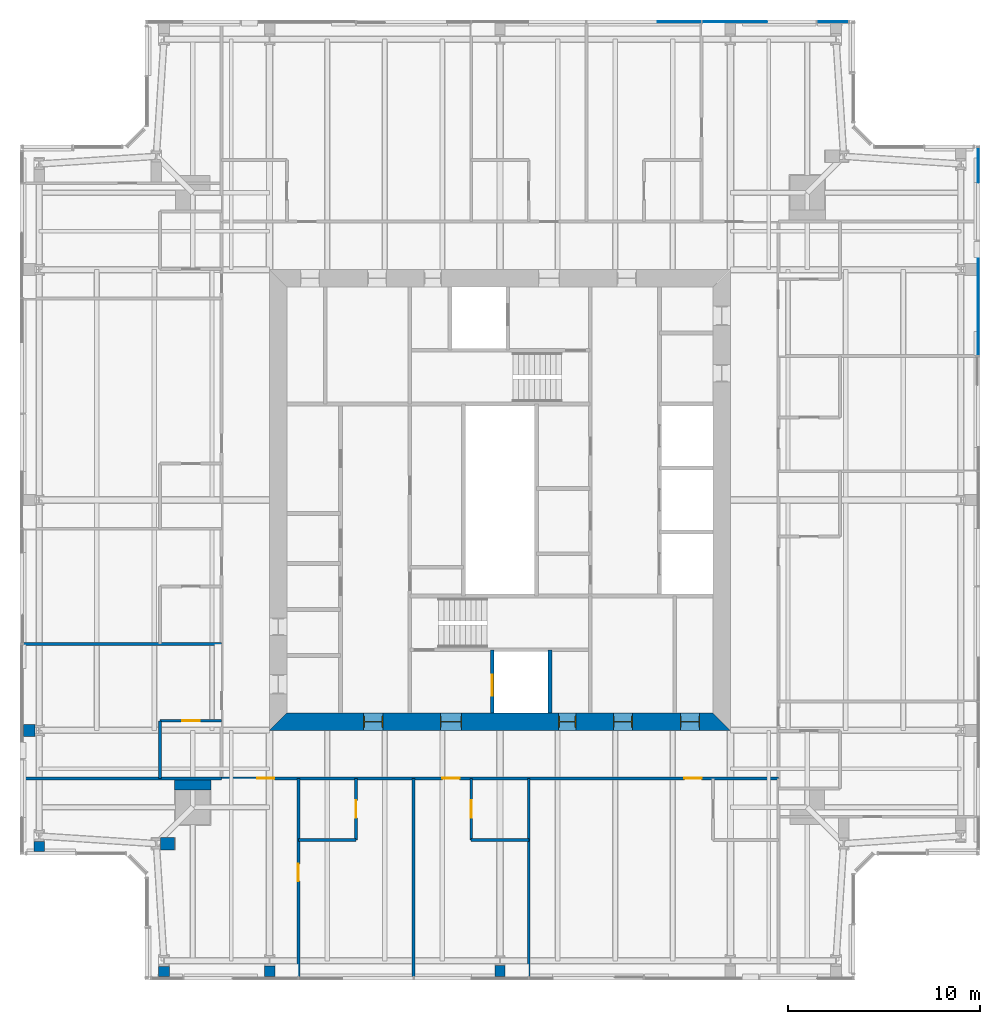
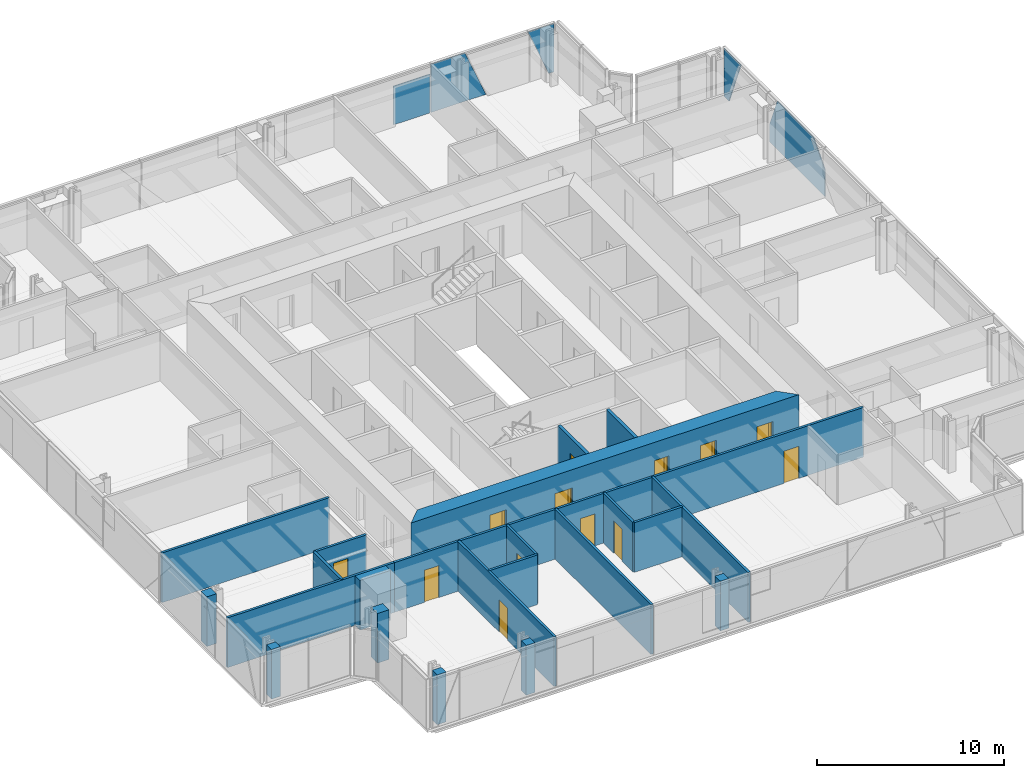
# One storey, part 11 of 20: 22 walls, 13 doors, 5 plates, 13 openings, 2 elements without a shape of their own.
"""IFC4 building model written with IfcOpenShell, lengths in metres."""

from ifc_helpers import new_model, si_unit, direction, frame, frame_2d, origin, place, context, subcontext, project, spatial, polyline, rectangle, outline, extrude, material, layer, layer_set, type_object, element, fill, aggregate, save


model = new_model("IFC4")

# Units and contexts
model_context = context("Model", 3, precision=1e-05, world=origin(), true_north=direction((0.0, 1.0)))
body_context = subcontext(model_context, "Body", "Model", "MODEL_VIEW")
ifc_project = project(units=[si_unit("LENGTHUNIT", "METRE"), si_unit("AREAUNIT", "SQUARE_METRE"), si_unit("VOLUMEUNIT", "CUBIC_METRE"), si_unit("PLANEANGLEUNIT", "RADIAN"), si_unit("MASSUNIT", "GRAM", prefix="KILO")], contexts=[model_context])

# Site, building, storey
site_placement = place(None, origin())
site = spatial("IfcSite", under=ifc_project, at=site_placement, CompositionType="ELEMENT")
building_placement = place(site_placement, origin())
building = spatial("IfcBuilding", under=site, at=building_placement, Name="Fenwick Lantern Interchange", CompositionType="ELEMENT")
storey_placement = place(building_placement, frame((0.0, 0.0, 286.60009765625)))
storey = spatial("IfcBuildingStorey", under=building, at=storey_placement, Name="L69", CompositionType="ELEMENT", Elevation=286.60009765625)

# Curtain wall, plates
ifc_material_1 = material(Name="Aluminium curtain wall frame", Category="aluminium")
curtain_wall_type = type_object("IfcCurtainWallType", Name="HOTEL CURTAIN WALL", PredefinedType="USERDEFINED", material=ifc_material_1)
curtain_wall_1_placement = place(storey_placement, origin())
curtain_wall_1 = element("IfcCurtainWall", 1, at=curtain_wall_1_placement, inside=storey, type_object=curtain_wall_type, Name="Hotel curtain wall 05", ObjectType="HOTEL CURTAIN WALL", PredefinedType="USERDEFINED")
ifc_material_2 = material(Name="Vision glass, acoustic laminated double glazed unit", Category="glass")
ifc_layer_1 = layer(ifc_material_2, 0.052001953125)
ifc_layer_set_1 = layer_set([ifc_layer_1], Name="HOTEL CURTAIN WALL PANEL 52")
plate_type = type_object("IfcPlateType", Name="HOTEL CURTAIN WALL PANEL 52", PredefinedType="CURTAIN_PANEL", material=ifc_layer_set_1)
plate_1_placement = place(storey_placement, frame((49.89990234375, 6.60009765625, 0.0), z_axis=(0.0, 0.0, 1.0), x_axis=(0.0, 1.0, 0.0)))
plate_1 = element("IfcPlate", 2, at=plate_1_placement, type_object=plate_type, Name="L69/CW/05/P05a", PredefinedType="CURTAIN_PANEL", context=body_context, shape_type="SweptSolid", body=[
    extrude(outline(polyline([(25.929931640625, 0.0), (31.8701171875, 0.0), (31.8701171875, 1.1083984375), (31.037353515625, 3.14990234375), (27.177490234375, 3.14990234375), (25.929931640625, 1.748046875), (25.929931640625, 0.0)])), frame((0.0, 0.02587890625, 0.0), z_axis=(0.0, -1.0, 0.0), x_axis=(1.0, 0.0, 0.0)), (0.0, 0.0, 1.0), 0.052001953125),
])
plate_2_placement = place(storey_placement, frame((49.89990234375, 6.60009765625, 0.0), z_axis=(0.0, 0.0, 1.0), x_axis=(0.0, 1.0, 0.0)))
plate_2 = element("IfcPlate", 3, at=plate_2_placement, type_object=plate_type, Name="L69/CW/05/P06a", PredefinedType="CURTAIN_PANEL", context=body_context, shape_type="SweptSolid", body=[
    extrude(outline(polyline([(36.2099609375, 0.0), (36.739990234375, 0.0), (36.739990234375, 3.14990234375), (34.92529296875, 3.14990234375), (36.2099609375, 0.0)])), frame((0.0, 0.02587890625, 0.0), z_axis=(0.0, -1.0, 0.0), x_axis=(1.0, 0.0, 0.0)), (0.0, 0.0, 1.0), 0.052001953125),
])
aggregate(curtain_wall_1, [plate_1, plate_2])

curtain_wall_2_placement = place(storey_placement, origin())
curtain_wall_2 = element("IfcCurtainWall", 4, at=curtain_wall_2_placement, inside=storey, type_object=curtain_wall_type, Name="Hotel curtain wall 09", ObjectType="HOTEL CURTAIN WALL", PredefinedType="USERDEFINED")
plate_3_placement = place(storey_placement, frame((43.39990234375, 49.89990234375, 0.0), z_axis=(0.0, 0.0, 1.0), x_axis=(-1.0, 0.0, 0.0)))
plate_3 = element("IfcPlate", 5, at=plate_3_placement, type_object=plate_type, Name="L69/CW/09/P00a", PredefinedType="CURTAIN_PANEL", context=body_context, shape_type="SweptSolid", body=[
    extrude(outline(polyline([(0.260009765625, 0.0), (0.58984375, 0.0), (1.8701171875, 3.138427734375), (1.8701171875, 3.14990234375), (0.260009765625, 3.14990234375), (0.260009765625, 0.0)])), frame((0.0, 0.02587890625, 0.0), z_axis=(0.0, -1.0, 0.0), x_axis=(1.0, 0.0, 0.0)), (0.0, 0.0, 1.0), 0.052001953125),
])
plate_4_placement = place(storey_placement, frame((43.39990234375, 49.89990234375, 0.0), z_axis=(0.0, 0.0, 1.0), x_axis=(-1.0, 0.0, 0.0)))
plate_4 = element("IfcPlate", 6, at=plate_4_placement, type_object=plate_type, Name="L69/CW/09/P01a", PredefinedType="CURTAIN_PANEL", context=body_context, shape_type="SweptSolid", body=[
    extrude(outline(polyline([(4.477783203125, 0.0), (7.8701171875, 0.0), (7.8701171875, 3.14990234375), (5.7626953125, 3.14990234375), (4.477783203125, 0.0)])), frame((0.0, 0.02587890625, 0.0), z_axis=(0.0, -1.0, 0.0), x_axis=(1.0, 0.0, 0.0)), (0.0, 0.0, 1.0), 0.052001953125),
])
plate_5_placement = place(storey_placement, frame((43.39990234375, 49.89990234375, 0.0), z_axis=(0.0, 0.0, 1.0), x_axis=(-1.0, 0.0, 0.0)))
plate_5 = element("IfcPlate", 7, at=plate_5_placement, type_object=plate_type, Name="L69/CW/09/P02a", PredefinedType="CURTAIN_PANEL", context=body_context, shape_type="SweptSolid", body=[
    extrude(outline(polyline([(7.929931640625, 0.0), (10.179931640625, 0.0), (10.179931640625, 2.5234375), (7.929931640625, 2.5234375), (7.929931640625, 0.0)])), frame((0.0, 0.02587890625, 0.0), z_axis=(0.0, -1.0, 0.0), x_axis=(1.0, 0.0, 0.0)), (0.0, 0.0, 1.0), 0.052001953125),
])
aggregate(curtain_wall_2, [plate_3, plate_4, plate_5])

# Walls
ifc_material_3 = material(Name="Fire-rated gypsum board encasement on steel studs, 2 hour", Category="steel")
ifc_layer_2 = layer(ifc_material_3, 1.89990234375)
ifc_layer_set_2 = layer_set([ifc_layer_2], Name="COLUMN PIER 1900")
wall_type_1 = type_object("IfcWallType", Name="COLUMN PIER 1900", PredefinedType="PARTITIONING", material=ifc_layer_set_2)
wall_1_placement = place(storey_placement, frame((9.0, 10.425048828125, 0.0), z_axis=(0.0, 0.0, 1.0), x_axis=(0.0, -1.0, 0.0)))
element("IfcWall", 8, at=wall_1_placement, inside=storey, type_object=wall_type_1, Name="L69/W/PIER/M1", PredefinedType="PARTITIONING", context=body_context, shape_type="SweptSolid", body=[
    extrude(rectangle(XDim=0.525146484375, YDim=1.89990234375, at=frame_2d((0.2626953125, 0.0))), origin(), (0.0, 0.0, 1.0), 3.25),
])
ifc_layer_3 = layer(ifc_material_3, 0.52392578125)
ifc_layer_set_3 = layer_set([ifc_layer_3], Name="COLUMN PIER 524")
wall_type_2 = type_object("IfcWallType", Name="COLUMN PIER 524", PredefinedType="PARTITIONING", material=ifc_layer_set_3)
wall_2_placement = place(storey_placement, frame((25.0, 0.18994140625, 0.0), z_axis=(0.0, 0.0, 1.0), x_axis=(0.0, 1.0, 0.0)))
element("IfcWall", 9, at=wall_2_placement, inside=storey, type_object=wall_type_2, Name="L69/W/PIER/CS3", PredefinedType="PARTITIONING", context=body_context, shape_type="SweptSolid", body=[
    extrude(rectangle(XDim=0.572509765625, YDim=0.52392578125, at=frame_2d((0.2861328125, 0.0))), origin(), (0.0, 0.0, 1.0), 3.25),
])
ifc_layer_4 = layer(ifc_material_3, 0.5419921875)
ifc_layer_set_4 = layer_set([ifc_layer_4], Name="COLUMN PIER 542")
wall_type_3 = type_object("IfcWallType", Name="COLUMN PIER 542", PredefinedType="PARTITIONING", material=ifc_layer_set_4)
wall_3_placement = place(storey_placement, frame((13.0, 0.18994140625, 0.0), z_axis=(0.0, 0.0, 1.0), x_axis=(0.0, 1.0, 0.0)))
element("IfcWall", 10, at=wall_3_placement, inside=storey, type_object=wall_type_3, Name="L69/W/PIER/CS2", PredefinedType="PARTITIONING", context=body_context, shape_type="SweptSolid", body=[
    extrude(rectangle(XDim=0.544677734375, YDim=0.5419921875, at=frame_2d((0.2724609375, 0.0))), origin(), (0.0, 0.0, 1.0), 3.25),
])
ifc_layer_5 = layer(ifc_material_3, 0.554931640625)
ifc_layer_set_5 = layer_set([ifc_layer_5], Name="COLUMN PIER 555")
wall_type_4 = type_object("IfcWallType", Name="COLUMN PIER 555", PredefinedType="PARTITIONING", material=ifc_layer_set_5)
for number, where, z_axis, x_axis, name in (
    (11, (7.5, 0.18994140625, 0.0), (0.0, 0.0, 1.0), (0.0, 1.0, 0.0), "L69/W/PIER/CS1"),
    (12, (1.0, 6.68994140625, 0.0), (0.0, 0.0, 1.0), (0.0, 1.0, 0.0), "L69/W/PIER/CW5"),
):
    element("IfcWall", number, at=place(storey_placement, frame(where, z_axis=z_axis, x_axis=x_axis)), inside=storey, type_object=wall_type_4, Name=name, PredefinedType="PARTITIONING", context=body_context, shape_type="SweptSolid", body=[
        extrude(rectangle(XDim=0.525634765625, YDim=0.554931640625, at=frame_2d((0.2626953125, 0.0))), origin(), (0.0, 0.0, 1.0), 3.25),
    ])
ifc_layer_6 = layer(ifc_material_3, 0.631103515625)
ifc_layer_set_6 = layer_set([ifc_layer_6], Name="COLUMN PIER 631")
wall_type_5 = type_object("IfcWallType", Name="COLUMN PIER 631", PredefinedType="PARTITIONING", material=ifc_layer_set_6)
wall_4_placement = place(storey_placement, frame((0.18994140625, 13.0, 0.0), z_axis=(0.0, 0.0, 1.0), x_axis=(1.0, 0.0, 0.0)))
element("IfcWall", 13, at=wall_4_placement, inside=storey, type_object=wall_type_5, Name="L69/W/PIER/CW4", PredefinedType="PARTITIONING", context=body_context, shape_type="SweptSolid", body=[
    extrude(rectangle(XDim=0.589111328125, YDim=0.631103515625, at=frame_2d((0.29443359375, 0.0))), origin(), (0.0, 0.0, 1.0), 3.25),
])
ifc_layer_7 = layer(ifc_material_3, 0.6689453125)
ifc_layer_set_7 = layer_set([ifc_layer_7], Name="COLUMN PIER 669")
wall_type_6 = type_object("IfcWallType", Name="COLUMN PIER 669", PredefinedType="PARTITIONING", material=ifc_layer_set_7)
wall_5_placement = place(storey_placement, frame((8.050048828125, 7.10009765625, 0.0), z_axis=(0.0, 0.0, 1.0), x_axis=(-1.0, 0.0, 0.0)))
element("IfcWall", 14, at=wall_5_placement, inside=storey, type_object=wall_type_6, Name="L69/W/PIER/CWR", PredefinedType="PARTITIONING", context=body_context, shape_type="SweptSolid", body=[
    extrude(rectangle(XDim=0.72265625, YDim=0.6689453125, at=frame_2d((0.361328125, 0.0))), origin(), (0.0, 0.0, 1.0), 3.25),
])

# Wall, opening, door
ifc_material_4 = material(Name="Concrete masonry ASTM C90 Grade N", Category="masonry")
ifc_layer_8 = layer(ifc_material_4, 0.199951171875)
ifc_layer_set_8 = layer_set([ifc_layer_8], Name="Concrete masonry ASTM C90 Grade N")
wall_type_7 = type_object("IfcWallType", Name="CORE PARTITION 200", PredefinedType="PARTITIONING", material=ifc_layer_set_8)
wall_6_placement = place(storey_placement, frame((24.60009765625, 13.89990234375, 0.0), z_axis=(0.0, 0.0, 1.0), x_axis=(0.0, 1.0, 0.0)))
wall_6 = element("IfcWall", 15, at=wall_6_placement, inside=storey, type_object=wall_type_7, Name="L69/W/CORES/h1", PredefinedType="PARTITIONING", context=body_context, shape_type="SweptSolid", body=[
    extrude(rectangle(XDim=3.300048828125, YDim=0.199951171875, at=frame_2d((1.64990234375, 0.0))), origin(), (0.0, 0.0, 1.0), 3.199951171875),
])
opening_1_placement = place(wall_6_placement, frame((0.89990234375, 0.0, 0.0)))
opening_1 = element("IfcOpeningElement", 16, at=opening_1_placement, cuts=wall_6, Name="Opening LD-FL1", PredefinedType="OPENING", context=body_context, shape_type="SweptSolid", body=[
    extrude(rectangle(XDim=1.10009765625, YDim=2.199951171875, at=frame_2d((0.550048828125, 1.10009765625))), frame((0.0, 0.10986328125, 0.0), z_axis=(0.0, -1.0, 0.0), x_axis=(1.0, 0.0, 0.0)), (0.0, 0.0, 1.0), 0.219970703125),
])
ifc_material_5 = material(Name="Steel door and frame", Category="steel")
door_type_1 = type_object("IfcDoorType", Name="LIFT LANDING DOOR 1100 X 2200", OperationType="DOUBLE_DOOR_SLIDING", PredefinedType="DOOR", material=ifc_material_5)
door_1_placement = place(opening_1_placement, origin())
door_1 = element("IfcDoor", 17, at=door_1_placement, inside=storey, type_object=door_type_1, Name="Lift landing door FL1", OperationType="DOUBLE_DOOR_SLIDING", OverallHeight=2.199951171875, OverallWidth=1.10009765625, PredefinedType="DOOR", context=body_context, shape_type="SweptSolid", body=[
    extrude(rectangle(XDim=1.10009765625, YDim=2.199951171875, at=frame_2d((0.550048828125, 1.10009765625))), frame((0.0, 0.02490234375, 0.0), z_axis=(0.0, -1.0, 0.0), x_axis=(1.0, 0.0, 0.0)), (0.0, 0.0, 1.0), 0.050048828125),
])
fill(opening_1, door_1)

# Wall
wall_7_placement = place(storey_placement, frame((27.60009765625, 13.89990234375, 0.0), z_axis=(0.0, 0.0, 1.0), x_axis=(0.0, 1.0, 0.0)))
element("IfcWall", 18, at=wall_7_placement, inside=storey, type_object=wall_type_7, Name="L69/W/CORES/h2", PredefinedType="PARTITIONING", context=body_context, shape_type="SweptSolid", body=[
    extrude(rectangle(XDim=3.300048828125, YDim=0.199951171875, at=frame_2d((1.64990234375, 0.0))), origin(), (0.0, 0.0, 1.0), 3.199951171875),
])

# Wall, openings, doors
ifc_material_6 = material(Name="Concrete f'c 70 MPa", Category="concrete")
ifc_layer_9 = layer(ifc_material_6, 0.89990234375)
ifc_layer_set_9 = layer_set([ifc_layer_9], Name="CORE WALL 900")
wall_type_8 = type_object("IfcWallType", Name="CORE WALL 900", PredefinedType="SHEAR", material=ifc_layer_set_9)
wall_8_placement = place(storey_placement, frame((13.0, 13.449951171875, 0.0), z_axis=(0.0, 0.0, 1.0), x_axis=(1.0, 0.0, 0.0)))
wall_8 = element("IfcWall", 19, at=wall_8_placement, inside=storey, type_object=wall_type_8, Name="L69/CORE/S", PredefinedType="SHEAR", context=body_context, shape_type="SweptSolid", body=[
    extrude(outline(polyline([(0.0, -0.449951171875), (24.0, -0.449951171875), (23.10009765625, 0.449951171875), (0.89990234375, 0.449951171875), (0.0, -0.449951171875)])), origin(), (0.0, 0.0, 1.0), 3.39990234375),
])
opening_2_placement = place(wall_8_placement, frame((4.89990234375, 0.0, 0.0)))
opening_2 = element("IfcOpeningElement", 20, at=opening_2_placement, cuts=wall_8, Name="Opening L69-D001", PredefinedType="OPENING", context=body_context, shape_type="SweptSolid", body=[
    extrude(rectangle(XDim=1.0, YDim=2.199951171875, at=frame_2d((0.5, 1.10009765625))), frame((0.0, 0.4599609375, 0.0), z_axis=(0.0, -1.0, 0.0), x_axis=(1.0, 0.0, 0.0)), (0.0, 0.0, 1.0), 0.919921875),
])
opening_3_placement = place(wall_8_placement, frame((8.89990234375, 0.0, 0.0)))
opening_3 = element("IfcOpeningElement", 21, at=opening_3_placement, cuts=wall_8, Name="Opening L69-D002", PredefinedType="OPENING", context=body_context, shape_type="SweptSolid", body=[
    extrude(rectangle(XDim=1.10009765625, YDim=2.199951171875, at=frame_2d((0.550048828125, 1.10009765625))), frame((0.0, 0.4599609375, 0.0), z_axis=(0.0, -1.0, 0.0), x_axis=(1.0, 0.0, 0.0)), (0.0, 0.0, 1.0), 0.919921875),
])
opening_4_placement = place(wall_8_placement, frame((15.050048828125, 0.0, 0.0)))
opening_4 = element("IfcOpeningElement", 22, at=opening_4_placement, cuts=wall_8, Name="Opening L69-D004", PredefinedType="OPENING", context=body_context, shape_type="SweptSolid", body=[
    extrude(rectangle(XDim=0.89990234375, YDim=2.199951171875, at=frame_2d((0.449951171875, 1.10009765625))), frame((0.0, 0.4599609375, 0.0), z_axis=(0.0, -1.0, 0.0), x_axis=(1.0, 0.0, 0.0)), (0.0, 0.0, 1.0), 0.919921875),
])
opening_5_placement = place(wall_8_placement, frame((17.89990234375, 0.0, 0.0)))
opening_5 = element("IfcOpeningElement", 23, at=opening_5_placement, cuts=wall_8, Name="Opening L69-D005", PredefinedType="OPENING", context=body_context, shape_type="SweptSolid", body=[
    extrude(rectangle(XDim=1.0, YDim=2.199951171875, at=frame_2d((0.5, 1.10009765625))), frame((0.0, 0.4599609375, 0.0), z_axis=(0.0, -1.0, 0.0), x_axis=(1.0, 0.0, 0.0)), (0.0, 0.0, 1.0), 0.919921875),
])
opening_6_placement = place(wall_8_placement, frame((21.39990234375, 0.0, 0.0)))
opening_6 = element("IfcOpeningElement", 24, at=opening_6_placement, cuts=wall_8, Name="Opening L69-D006", PredefinedType="OPENING", context=body_context, shape_type="SweptSolid", body=[
    extrude(rectangle(XDim=1.0, YDim=2.199951171875, at=frame_2d((0.5, 1.10009765625))), frame((0.0, 0.4599609375, 0.0), z_axis=(0.0, -1.0, 0.0), x_axis=(1.0, 0.0, 0.0)), (0.0, 0.0, 1.0), 0.919921875),
])
door_type_2 = type_object("IfcDoorType", Name="CORE LOBBY DOOR 1000 X 2200", OperationType="SINGLE_SWING_LEFT", PredefinedType="DOOR", material=ifc_material_5)
door_2_placement = place(opening_2_placement, origin())
door_2 = element("IfcDoor", 25, at=door_2_placement, inside=storey, type_object=door_type_2, Name="Core lobby door", OperationType="SINGLE_SWING_LEFT", OverallHeight=2.199951171875, OverallWidth=1.0, PredefinedType="DOOR", context=body_context, shape_type="SweptSolid", body=[
    extrude(rectangle(XDim=1.0, YDim=2.199951171875, at=frame_2d((0.5, 1.10009765625))), frame((0.0, 0.02490234375, 0.0), z_axis=(0.0, -1.0, 0.0), x_axis=(1.0, 0.0, 0.0)), (0.0, 0.0, 1.0), 0.050048828125),
    extrude(outline(polyline([(0.0, 0.0), (0.0400390625, 0.0), (0.0400390625, 2.159912109375), (0.9599609375, 2.159912109375), (0.9599609375, 0.0), (1.0, 0.0), (1.0, 2.199951171875), (0.0, 2.199951171875), (0.0, 0.0)])), frame((0.0, 0.300048828125, 0.0), z_axis=(0.0, -1.0, 0.0), x_axis=(1.0, 0.0, 0.0)), (0.0, 0.0, 1.0), 0.60009765625),
])
fill(opening_2, door_2)
door_type_3 = type_object("IfcDoorType", Name="FIRE LOBBY DOOR 1100 X 2200", OperationType="SINGLE_SWING_LEFT", PredefinedType="DOOR", material=ifc_material_5)
door_3_placement = place(opening_3_placement, origin())
door_3 = element("IfcDoor", 26, at=door_3_placement, inside=storey, type_object=door_type_3, Name="Fire lobby door", OperationType="SINGLE_SWING_LEFT", OverallHeight=2.199951171875, OverallWidth=1.10009765625, PredefinedType="DOOR", context=body_context, shape_type="SweptSolid", body=[
    extrude(rectangle(XDim=1.10009765625, YDim=2.199951171875, at=frame_2d((0.550048828125, 1.10009765625))), frame((0.0, 0.02490234375, 0.0), z_axis=(0.0, -1.0, 0.0), x_axis=(1.0, 0.0, 0.0)), (0.0, 0.0, 1.0), 0.050048828125),
    extrude(outline(polyline([(0.0, 0.0), (0.0400390625, 0.0), (0.0400390625, 2.159912109375), (1.06005859375, 2.159912109375), (1.06005859375, 0.0), (1.10009765625, 0.0), (1.10009765625, 2.199951171875), (0.0, 2.199951171875), (0.0, 0.0)])), frame((0.0, 0.300048828125, 0.0), z_axis=(0.0, -1.0, 0.0), x_axis=(1.0, 0.0, 0.0)), (0.0, 0.0, 1.0), 0.60009765625),
])
fill(opening_3, door_3)
door_type_4 = type_object("IfcDoorType", Name="SERVICE DOOR 900 X 2200", OperationType="SINGLE_SWING_LEFT", PredefinedType="DOOR", material=ifc_material_5)
door_4_placement = place(opening_4_placement, origin())
door_4 = element("IfcDoor", 27, at=door_4_placement, inside=storey, type_object=door_type_4, Name="Service door", OperationType="SINGLE_SWING_LEFT", OverallHeight=2.199951171875, OverallWidth=0.89990234375, PredefinedType="DOOR", context=body_context, shape_type="SweptSolid", body=[
    extrude(rectangle(XDim=0.89990234375, YDim=2.199951171875, at=frame_2d((0.449951171875, 1.10009765625))), frame((0.0, 0.02490234375, 0.0), z_axis=(0.0, -1.0, 0.0), x_axis=(1.0, 0.0, 0.0)), (0.0, 0.0, 1.0), 0.050048828125),
    extrude(outline(polyline([(0.0, 0.0), (0.0400390625, 0.0), (0.0400390625, 2.159912109375), (0.85986328125, 2.159912109375), (0.85986328125, 0.0), (0.89990234375, 0.0), (0.89990234375, 2.199951171875), (0.0, 2.199951171875), (0.0, 0.0)])), frame((0.0, 0.300048828125, 0.0), z_axis=(0.0, -1.0, 0.0), x_axis=(1.0, 0.0, 0.0)), (0.0, 0.0, 1.0), 0.60009765625),
])
fill(opening_4, door_4)
ifc_material_7 = material(Name="Hardwood door and steel frame", Category="steel")
door_type_5 = type_object("IfcDoorType", Name="WC DOOR 1000 X 2200", OperationType="SINGLE_SWING_LEFT", PredefinedType="DOOR", material=ifc_material_7)
door_5_placement = place(opening_5_placement, origin())
door_5 = element("IfcDoor", 28, at=door_5_placement, inside=storey, type_object=door_type_5, Name="Wc door", OperationType="SINGLE_SWING_LEFT", OverallHeight=2.199951171875, OverallWidth=1.0, PredefinedType="DOOR", context=body_context, shape_type="SweptSolid", body=[
    extrude(rectangle(XDim=1.0, YDim=2.199951171875, at=frame_2d((0.5, 1.10009765625))), frame((0.0, 0.02490234375, 0.0), z_axis=(0.0, -1.0, 0.0), x_axis=(1.0, 0.0, 0.0)), (0.0, 0.0, 1.0), 0.050048828125),
    extrude(outline(polyline([(0.0, 0.0), (0.0400390625, 0.0), (0.0400390625, 2.159912109375), (0.9599609375, 2.159912109375), (0.9599609375, 0.0), (1.0, 0.0), (1.0, 2.199951171875), (0.0, 2.199951171875), (0.0, 0.0)])), frame((0.0, 0.300048828125, 0.0), z_axis=(0.0, -1.0, 0.0), x_axis=(1.0, 0.0, 0.0)), (0.0, 0.0, 1.0), 0.60009765625),
])
fill(opening_5, door_5)
door_6_placement = place(opening_6_placement, origin())
door_6 = element("IfcDoor", 29, at=door_6_placement, inside=storey, type_object=door_type_5, Name="Wc door", OperationType="SINGLE_SWING_LEFT", OverallHeight=2.199951171875, OverallWidth=1.0, PredefinedType="DOOR", context=body_context, shape_type="SweptSolid", body=[
    extrude(rectangle(XDim=1.0, YDim=2.199951171875, at=frame_2d((0.5, 1.10009765625))), frame((0.0, 0.02490234375, 0.0), z_axis=(0.0, -1.0, 0.0), x_axis=(1.0, 0.0, 0.0)), (0.0, 0.0, 1.0), 0.050048828125),
    extrude(outline(polyline([(0.0, 0.0), (0.0400390625, 0.0), (0.0400390625, 2.159912109375), (0.9599609375, 2.159912109375), (0.9599609375, 0.0), (1.0, 0.0), (1.0, 2.199951171875), (0.0, 2.199951171875), (0.0, 0.0)])), frame((0.0, 0.300048828125, 0.0), z_axis=(0.0, -1.0, 0.0), x_axis=(1.0, 0.0, 0.0)), (0.0, 0.0, 1.0), 0.60009765625),
])
fill(opening_6, door_6)

ifc_material_8 = material(Name="Gypsum board on steel studs, 1 hour", Category="steel")
ifc_layer_10 = layer(ifc_material_8, 0.14990234375)
ifc_layer_set_10 = layer_set([ifc_layer_10], Name="CORRIDOR WALL 150")
wall_type_9 = type_object("IfcWallType", Name="CORRIDOR WALL 150", PredefinedType="PARTITIONING", material=ifc_layer_set_10)
wall_9_placement = place(storey_placement, frame((10.5, 10.5, 0.0), z_axis=(0.0, 0.0, 1.0), x_axis=(1.0, 0.0, 0.0)))
wall_9 = element("IfcWall", 30, at=wall_9_placement, inside=storey, type_object=wall_type_9, Name="L69/W/HOTEL/S/CW", PredefinedType="PARTITIONING", context=body_context, shape_type="SweptSolid", body=[
    extrude(rectangle(XDim=29.0, YDim=0.14990234375, at=frame_2d((14.5, 0.0))), origin(), (0.0, 0.0, 1.0), 3.25),
])
opening_7_placement = place(wall_9_placement, frame((1.85009765625, 0.0, 0.0)))
opening_7 = element("IfcOpeningElement", 31, at=opening_7_placement, cuts=wall_9, Name="Opening L69-D025", PredefinedType="OPENING", context=body_context, shape_type="SweptSolid", body=[
    extrude(rectangle(XDim=0.89990234375, YDim=2.10009765625, at=frame_2d((0.449951171875, 1.050048828125))), frame((0.0, 0.0849609375, 0.0), z_axis=(0.0, -1.0, 0.0), x_axis=(1.0, 0.0, 0.0)), (0.0, 0.0, 1.0), 0.169921875),
])
opening_8_placement = place(wall_9_placement, frame((11.5, 0.0, 0.0)))
opening_8 = element("IfcOpeningElement", 32, at=opening_8_placement, cuts=wall_9, Name="Opening L69-D029", PredefinedType="OPENING", context=body_context, shape_type="SweptSolid", body=[
    extrude(rectangle(XDim=0.89990234375, YDim=2.10009765625, at=frame_2d((0.449951171875, 1.050048828125))), frame((0.0, 0.0849609375, 0.0), z_axis=(0.0, -1.0, 0.0), x_axis=(1.0, 0.0, 0.0)), (0.0, 0.0, 1.0), 0.169921875),
])
opening_9_placement = place(wall_9_placement, frame((24.10009765625, 0.0, 0.0)))
opening_9 = element("IfcOpeningElement", 33, at=opening_9_placement, cuts=wall_9, Name="Opening L69-D031", PredefinedType="OPENING", context=body_context, shape_type="SweptSolid", body=[
    extrude(rectangle(XDim=0.89990234375, YDim=2.10009765625, at=frame_2d((0.449951171875, 1.050048828125))), frame((0.0, 0.0849609375, 0.0), z_axis=(0.0, -1.0, 0.0), x_axis=(1.0, 0.0, 0.0)), (0.0, 0.0, 1.0), 0.169921875),
])
door_type_6 = type_object("IfcDoorType", Name="GUEST ROOM DOOR 900 X 2100", OperationType="SINGLE_SWING_LEFT", PredefinedType="DOOR", material=ifc_material_5)
door_7_placement = place(opening_7_placement, frame((0.89990234375, 0.0, 0.0), z_axis=(0.0, 0.0, 1.0), x_axis=(-1.0, 0.0, 0.0)))
door_7 = element("IfcDoor", 34, at=door_7_placement, inside=storey, type_object=door_type_6, Name="Guest room door", OperationType="SINGLE_SWING_LEFT", OverallHeight=2.10009765625, OverallWidth=0.89990234375, PredefinedType="DOOR", context=body_context, shape_type="SweptSolid", body=[
    extrude(rectangle(XDim=0.89990234375, YDim=2.10009765625, at=frame_2d((0.449951171875, 1.050048828125))), frame((0.0, 0.02490234375, 0.0), z_axis=(0.0, -1.0, 0.0), x_axis=(1.0, 0.0, 0.0)), (0.0, 0.0, 1.0), 0.050048828125),
])
fill(opening_7, door_7)
door_8_placement = place(opening_8_placement, frame((0.89990234375, 0.0, 0.0), z_axis=(0.0, 0.0, 1.0), x_axis=(-1.0, 0.0, 0.0)))
door_8 = element("IfcDoor", 35, at=door_8_placement, inside=storey, type_object=door_type_6, Name="Guest room door", OperationType="SINGLE_SWING_LEFT", OverallHeight=2.10009765625, OverallWidth=0.89990234375, PredefinedType="DOOR", context=body_context, shape_type="SweptSolid", body=[
    extrude(rectangle(XDim=0.89990234375, YDim=2.10009765625, at=frame_2d((0.449951171875, 1.050048828125))), frame((0.0, 0.02490234375, 0.0), z_axis=(0.0, -1.0, 0.0), x_axis=(1.0, 0.0, 0.0)), (0.0, 0.0, 1.0), 0.050048828125),
])
fill(opening_8, door_8)
door_9_placement = place(opening_9_placement, frame((0.89990234375, 0.0, 0.0), z_axis=(0.0, 0.0, 1.0), x_axis=(-1.0, 0.0, 0.0)))
door_9 = element("IfcDoor", 36, at=door_9_placement, inside=storey, type_object=door_type_6, Name="Guest room door", OperationType="SINGLE_SWING_LEFT", OverallHeight=2.10009765625, OverallWidth=0.89990234375, PredefinedType="DOOR", context=body_context, shape_type="SweptSolid", body=[
    extrude(rectangle(XDim=0.89990234375, YDim=2.10009765625, at=frame_2d((0.449951171875, 1.050048828125))), frame((0.0, 0.02490234375, 0.0), z_axis=(0.0, -1.0, 0.0), x_axis=(1.0, 0.0, 0.0)), (0.0, 0.0, 1.0), 0.050048828125),
])
fill(opening_9, door_9)

# Wall
ifc_material_9 = material(Name="Gypsum board on steel studs, moisture resistant", Category="steel")
ifc_layer_11 = layer(ifc_material_9, 0.14990234375)
ifc_layer_set_11 = layer_set([ifc_layer_11], Name="EN-SUITE WALL 150")
wall_type_10 = type_object("IfcWallType", Name="EN-SUITE WALL 150", PredefinedType="PARTITIONING", material=ifc_layer_set_11)
wall_10_placement = place(storey_placement, frame((14.5, 7.300048828125, 0.0), z_axis=(0.0, 0.0, 1.0), x_axis=(1.0, 0.0, 0.0)))
element("IfcWall", 37, at=wall_10_placement, inside=storey, type_object=wall_type_10, Name="L69/W/HOTEL/S/U1BW", PredefinedType="PARTITIONING", context=body_context, shape_type="SweptSolid", body=[
    extrude(rectangle(XDim=3.0, YDim=0.14990234375, at=frame_2d((1.5, 0.0))), origin(), (0.0, 0.0, 1.0), 3.25),
])

# Wall, opening, door
wall_11_placement = place(storey_placement, frame((17.5, 7.300048828125, 0.0), z_axis=(0.0, 0.0, 1.0), x_axis=(0.0, 1.0, 0.0)))
wall_11 = element("IfcWall", 38, at=wall_11_placement, inside=storey, type_object=wall_type_10, Name="L69/W/HOTEL/S/U1BX", PredefinedType="PARTITIONING", context=body_context, shape_type="SweptSolid", body=[
    extrude(rectangle(XDim=3.199951171875, YDim=0.14990234375, at=frame_2d((1.60009765625, 0.0))), origin(), (0.0, 0.0, 1.0), 3.25),
])
opening_10_placement = place(wall_11_placement, frame((1.14990234375, 0.0, 0.0)))
opening_10 = element("IfcOpeningElement", 39, at=opening_10_placement, cuts=wall_11, Name="Opening L69-D026", PredefinedType="OPENING", context=body_context, shape_type="SweptSolid", body=[
    extrude(rectangle(XDim=0.89990234375, YDim=2.10009765625, at=frame_2d((0.449951171875, 1.050048828125))), frame((0.0, 0.0849609375, 0.0), z_axis=(0.0, -1.0, 0.0), x_axis=(1.0, 0.0, 0.0)), (0.0, 0.0, 1.0), 0.169921875),
])
door_type_7 = type_object("IfcDoorType", Name="EN-SUITE DOOR 900 X 2100", OperationType="SINGLE_SWING_LEFT", PredefinedType="DOOR", material=ifc_material_7)
door_10_placement = place(opening_10_placement, origin())
door_10 = element("IfcDoor", 40, at=door_10_placement, inside=storey, type_object=door_type_7, Name="En-suite door", OperationType="SINGLE_SWING_LEFT", OverallHeight=2.10009765625, OverallWidth=0.89990234375, PredefinedType="DOOR", context=body_context, shape_type="SweptSolid", body=[
    extrude(rectangle(XDim=0.89990234375, YDim=2.10009765625, at=frame_2d((0.449951171875, 1.050048828125))), frame((0.0, 0.02490234375, 0.0), z_axis=(0.0, -1.0, 0.0), x_axis=(1.0, 0.0, 0.0)), (0.0, 0.0, 1.0), 0.050048828125),
])
fill(opening_10, door_10)

# Wall
wall_12_placement = place(storey_placement, frame((23.5, 7.300048828125, 0.0), z_axis=(0.0, 0.0, 1.0), x_axis=(1.0, 0.0, 0.0)))
element("IfcWall", 41, at=wall_12_placement, inside=storey, type_object=wall_type_10, Name="L69/W/HOTEL/S/U2BW", PredefinedType="PARTITIONING", context=body_context, shape_type="SweptSolid", body=[
    extrude(rectangle(XDim=3.0, YDim=0.14990234375, at=frame_2d((1.5, 0.0))), origin(), (0.0, 0.0, 1.0), 3.25),
])

# Wall, opening, door
wall_13_placement = place(storey_placement, frame((23.5, 7.300048828125, 0.0), z_axis=(0.0, 0.0, 1.0), x_axis=(0.0, 1.0, 0.0)))
wall_13 = element("IfcWall", 42, at=wall_13_placement, inside=storey, type_object=wall_type_10, Name="L69/W/HOTEL/S/U2BX", PredefinedType="PARTITIONING", context=body_context, shape_type="SweptSolid", body=[
    extrude(rectangle(XDim=3.199951171875, YDim=0.14990234375, at=frame_2d((1.60009765625, 0.0))), origin(), (0.0, 0.0, 1.0), 3.25),
])
opening_11_placement = place(wall_13_placement, frame((1.14990234375, 0.0, 0.0)))
opening_11 = element("IfcOpeningElement", 43, at=opening_11_placement, cuts=wall_13, Name="Opening L69-D028", PredefinedType="OPENING", context=body_context, shape_type="SweptSolid", body=[
    extrude(rectangle(XDim=0.89990234375, YDim=2.10009765625, at=frame_2d((0.449951171875, 1.050048828125))), frame((0.0, 0.0849609375, 0.0), z_axis=(0.0, -1.0, 0.0), x_axis=(1.0, 0.0, 0.0)), (0.0, 0.0, 1.0), 0.169921875),
])
door_11_placement = place(opening_11_placement, frame((0.89990234375, 0.0, 0.0), z_axis=(0.0, 0.0, 1.0), x_axis=(-1.0, 0.0, 0.0)))
door_11 = element("IfcDoor", 44, at=door_11_placement, inside=storey, type_object=door_type_7, Name="En-suite door", OperationType="SINGLE_SWING_RIGHT", OverallHeight=2.10009765625, OverallWidth=0.89990234375, PredefinedType="DOOR", context=body_context, shape_type="SweptSolid", body=[
    extrude(rectangle(XDim=0.89990234375, YDim=2.10009765625, at=frame_2d((0.449951171875, 1.050048828125))), frame((0.0, 0.02490234375, 0.0), z_axis=(0.0, -1.0, 0.0), x_axis=(1.0, 0.0, 0.0)), (0.0, 0.0, 1.0), 0.050048828125),
])
fill(opening_11, door_11)

# Wall
wall_14_placement = place(storey_placement, frame((7.300048828125, 13.5, 0.0), z_axis=(0.0, 0.0, 1.0), x_axis=(0.0, -1.0, 0.0)))
element("IfcWall", 45, at=wall_14_placement, inside=storey, type_object=wall_type_10, Name="L69/W/HOTEL/W/U4BW", PredefinedType="PARTITIONING", context=body_context, shape_type="SweptSolid", body=[
    extrude(rectangle(XDim=3.0, YDim=0.14990234375, at=frame_2d((1.5, 0.0))), origin(), (0.0, 0.0, 1.0), 3.25),
])

# Wall, opening, door
wall_15_placement = place(storey_placement, frame((7.300048828125, 13.5, 0.0), z_axis=(0.0, 0.0, 1.0), x_axis=(1.0, 0.0, 0.0)))
wall_15 = element("IfcWall", 46, at=wall_15_placement, inside=storey, type_object=wall_type_10, Name="L69/W/HOTEL/W/U4BX", PredefinedType="PARTITIONING", context=body_context, shape_type="SweptSolid", body=[
    extrude(rectangle(XDim=3.199951171875, YDim=0.14990234375, at=frame_2d((1.60009765625, 0.0))), origin(), (0.0, 0.0, 1.0), 3.25),
])
opening_12_placement = place(wall_15_placement, frame((1.14990234375, 0.0, 0.0)))
opening_12 = element("IfcOpeningElement", 47, at=opening_12_placement, cuts=wall_15, Name="Opening L69-D055", PredefinedType="OPENING", context=body_context, shape_type="SweptSolid", body=[
    extrude(rectangle(XDim=0.89990234375, YDim=2.10009765625, at=frame_2d((0.449951171875, 1.050048828125))), frame((0.0, 0.0849609375, 0.0), z_axis=(0.0, -1.0, 0.0), x_axis=(1.0, 0.0, 0.0)), (0.0, 0.0, 1.0), 0.169921875),
])
door_12_placement = place(opening_12_placement, frame((0.89990234375, 0.0, 0.0), z_axis=(0.0, 0.0, 1.0), x_axis=(-1.0, 0.0, 0.0)))
door_12 = element("IfcDoor", 48, at=door_12_placement, inside=storey, type_object=door_type_7, Name="En-suite door", OperationType="SINGLE_SWING_RIGHT", OverallHeight=2.10009765625, OverallWidth=0.89990234375, PredefinedType="DOOR", context=body_context, shape_type="SweptSolid", body=[
    extrude(rectangle(XDim=0.89990234375, YDim=2.10009765625, at=frame_2d((0.449951171875, 1.050048828125))), frame((0.0, 0.02490234375, 0.0), z_axis=(0.0, -1.0, 0.0), x_axis=(1.0, 0.0, 0.0)), (0.0, 0.0, 1.0), 0.050048828125),
])
fill(opening_12, door_12)

# Walls
ifc_material_10 = material(Name="Gypsum board on steel studs, 1 hour acoustic", Category="steel")
ifc_layer_12 = layer(ifc_material_10, 0.14990234375)
ifc_layer_set_12 = layer_set([ifc_layer_12], Name="PARTY WALL 150")
wall_type_11 = type_object("IfcWallType", Name="PARTY WALL 150", PredefinedType="PARTITIONING", material=ifc_layer_set_12)
for number, where, z_axis, x_axis, name in (
    (49, (0.14990234375, 10.5, 0.0), (0.0, 0.0, 1.0), (1.0, 0.0, 0.0), "L69/W/HOTEL/S/SW3"),
    (50, (20.5, 0.14990234375, 0.0), (0.0, 0.0, 1.0), (0.0, 1.0, 0.0), "L69/W/HOTEL/S/U2PW"),
    (51, (26.5, 0.14990234375, 0.0), (0.0, 0.0, 1.0), (0.0, 1.0, 0.0), "L69/W/HOTEL/S/U3PW"),
    (52, (0.14990234375, 17.5, 0.0), (0.0, 0.0, 1.0), (1.0, 0.0, 0.0), "L69/W/HOTEL/W/U4PW"),
):
    element("IfcWall", number, at=place(storey_placement, frame(where, z_axis=z_axis, x_axis=x_axis)), inside=storey, type_object=wall_type_11, Name=name, PredefinedType="PARTITIONING", context=body_context, shape_type="SweptSolid", body=[
        extrude(rectangle(XDim=10.35009765625, YDim=0.14990234375, at=frame_2d((5.175048828125, 0.0))), origin(), (0.0, 0.0, 1.0), 3.25),
    ])

# Wall, opening, door
ifc_material_11 = material(Name="Gypsum board on steel studs, acoustic", Category="steel")
ifc_layer_13 = layer(ifc_material_11, 0.14990234375)
ifc_layer_set_13 = layer_set([ifc_layer_13], Name="SUITE PARTITION 150")
wall_type_12 = type_object("IfcWallType", Name="SUITE PARTITION 150", PredefinedType="PARTITIONING", material=ifc_layer_set_13)
wall_16_placement = place(storey_placement, frame((14.5, 0.14990234375, 0.0), z_axis=(0.0, 0.0, 1.0), x_axis=(0.0, 1.0, 0.0)))
wall_16 = element("IfcWall", 53, at=wall_16_placement, inside=storey, type_object=wall_type_12, Name="L69/W/HOTEL/S/U1P", PredefinedType="PARTITIONING", context=body_context, shape_type="SweptSolid", body=[
    extrude(rectangle(XDim=10.35009765625, YDim=0.14990234375, at=frame_2d((5.175048828125, 0.0))), origin(), (0.0, 0.0, 1.0), 3.25),
])
opening_13_placement = place(wall_16_placement, frame((5.0, 0.0, 0.0)))
opening_13 = element("IfcOpeningElement", 54, at=opening_13_placement, cuts=wall_16, Name="Opening L69-D027", PredefinedType="OPENING", context=body_context, shape_type="SweptSolid", body=[
    extrude(rectangle(XDim=0.89990234375, YDim=2.10009765625, at=frame_2d((0.449951171875, 1.050048828125))), frame((0.0, 0.0849609375, 0.0), z_axis=(0.0, -1.0, 0.0), x_axis=(1.0, 0.0, 0.0)), (0.0, 0.0, 1.0), 0.169921875),
])
door_type_8 = type_object("IfcDoorType", Name="SUITE INTERNAL DOOR 900 X 2100", OperationType="SINGLE_SWING_LEFT", PredefinedType="DOOR", material=ifc_material_7)
door_13_placement = place(opening_13_placement, frame((0.89990234375, 0.0, 0.0), z_axis=(0.0, 0.0, 1.0), x_axis=(-1.0, 0.0, 0.0)))
door_13 = element("IfcDoor", 55, at=door_13_placement, inside=storey, type_object=door_type_8, Name="Suite internal door", OperationType="SINGLE_SWING_LEFT", OverallHeight=2.10009765625, OverallWidth=0.89990234375, PredefinedType="DOOR", context=body_context, shape_type="SweptSolid", body=[
    extrude(rectangle(XDim=0.89990234375, YDim=2.10009765625, at=frame_2d((0.449951171875, 1.050048828125))), frame((0.0, 0.02490234375, 0.0), z_axis=(0.0, -1.0, 0.0), x_axis=(1.0, 0.0, 0.0)), (0.0, 0.0, 1.0), 0.050048828125),
])
fill(opening_13, door_13)

save(model, "model.ifc")
